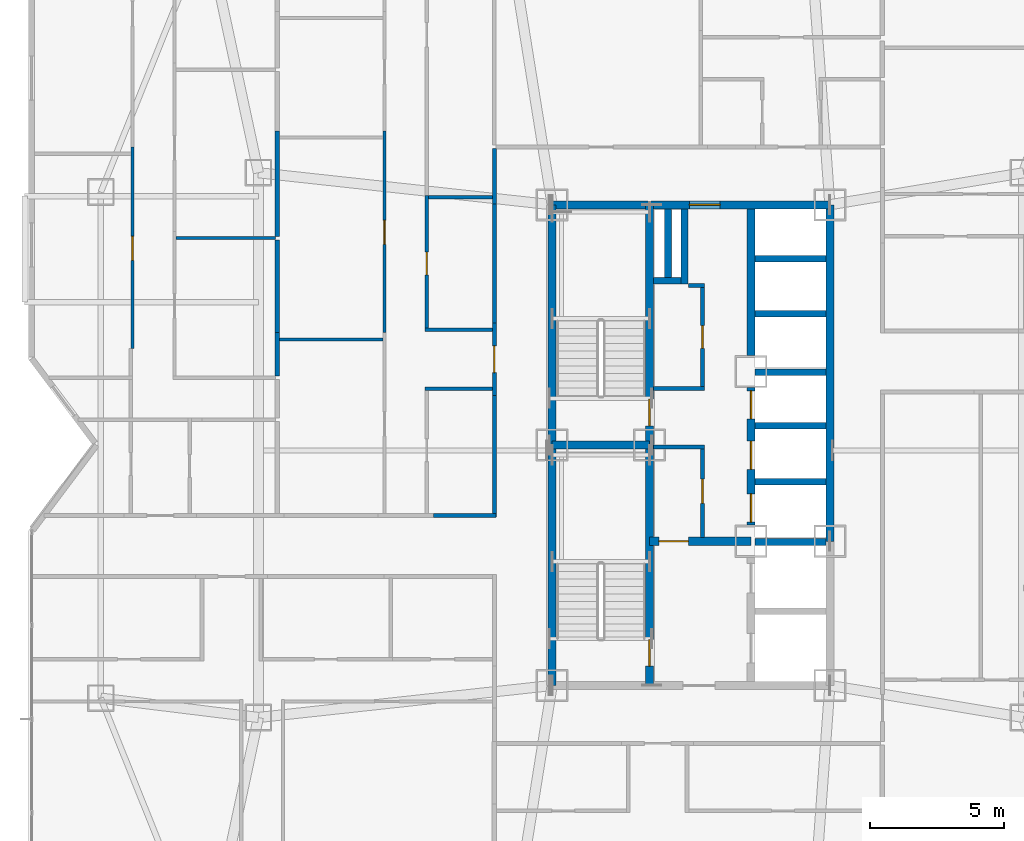
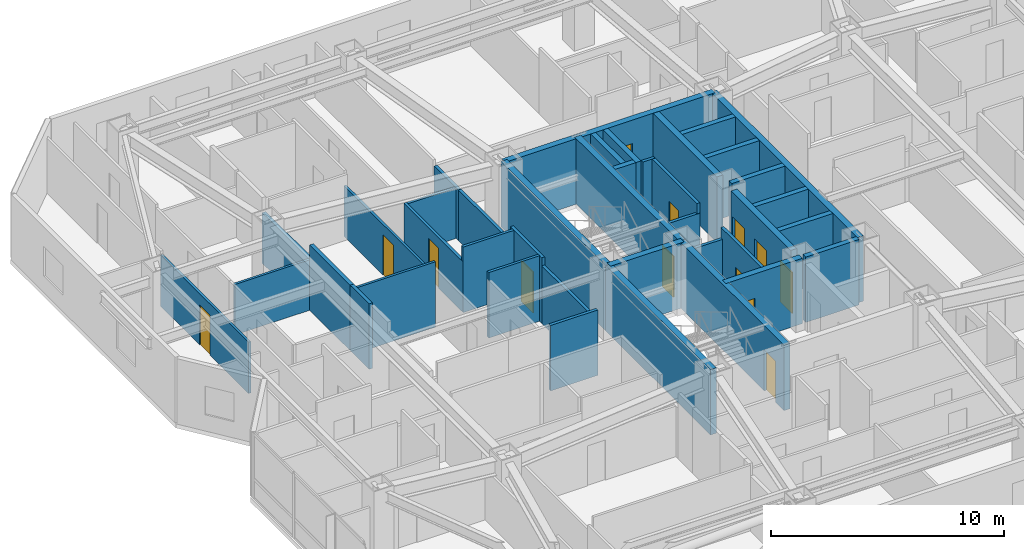
# One storey, part 13 of 19: 40 walls, 13 doors, 13 openings.
"""IFC4 building model written with IfcOpenShell, lengths in metres."""

from ifc_helpers import new_model, si_unit, direction, frame, frame_2d, origin, place, context, subcontext, project, spatial, rectangle, extrude, material, layer, layer_set, type_object, element, fill, save


model = new_model("IFC4")

# Units and contexts
model_context = context("Model", 3, precision=1e-05, world=origin(), true_north=direction((0.0, 1.0)))
body_context = subcontext(model_context, "Body", "Model", "MODEL_VIEW")
ifc_project = project(units=[si_unit("LENGTHUNIT", "METRE"), si_unit("AREAUNIT", "SQUARE_METRE"), si_unit("VOLUMEUNIT", "CUBIC_METRE"), si_unit("PLANEANGLEUNIT", "RADIAN"), si_unit("MASSUNIT", "GRAM", prefix="KILO")], contexts=[model_context])

# Site, building, storey
site_placement = place(None, origin())
site = spatial("IfcSite", under=ifc_project, at=site_placement, CompositionType="ELEMENT")
building_placement = place(site_placement, origin())
building = spatial("IfcBuilding", under=site, at=building_placement, Name="Khamvora Tower", CompositionType="ELEMENT")
storey_placement = place(building_placement, frame((0.0, 0.0, 120.14990234375)))
storey = spatial("IfcBuildingStorey", under=building, at=storey_placement, Name="L30", CompositionType="ELEMENT", Elevation=120.14990234375)

# Walls
ifc_material_1 = material(Name="Concrete C50/60", Category="concrete")
ifc_layer_1 = layer(ifc_material_1, 0.300048828125)
ifc_layer_set_1 = layer_set([ifc_layer_1], Name="Concrete C50/60")
wall_type_1 = type_object("IfcWallType", Name="WAL-CORE-300", PredefinedType="SHEAR", material=ifc_layer_set_1)
for number, where, z_axis, x_axis, name in (
    (1, (29.0, 19.0, 0.0), (0.0, 0.0, 1.0), (0.0, 1.0, 0.0), "L30 central core west south wall"),
    (2, (29.0, 28.0, 0.0), (0.0, 0.0, 1.0), (0.0, 1.0, 0.0), "L30 central core west north wall"),
):
    element("IfcWall", number, at=place(storey_placement, frame(where, z_axis=z_axis, x_axis=x_axis)), inside=storey, type_object=wall_type_1, Name=name, PredefinedType="SHEAR", context=body_context, shape_type="SweptSolid", body=[
        extrude(rectangle(XDim=9.0, YDim=0.300048828125, at=frame_2d((4.5, 0.0))), origin(), (0.0, 0.0, 1.0), 3.43017578125),
    ])

# Wall, opening, door
wall_1_placement = place(storey_placement, frame((29.0, 37.0, 0.0), z_axis=(0.0, 0.0, 1.0), x_axis=(1.0, 0.0, 0.0)))
wall_1 = element("IfcWall", 3, at=wall_1_placement, inside=storey, type_object=wall_type_1, Name="L30 central core north wall", PredefinedType="SHEAR", context=body_context, shape_type="SweptSolid", body=[
    extrude(rectangle(XDim=10.39990234375, YDim=0.300048828125, at=frame_2d((5.199951171875, 0.0))), origin(), (0.0, 0.0, 1.0), 3.43017578125),
])
opening_1_placement = place(wall_1_placement, frame((5.139892578125, 0.0, 0.0)))
opening_1 = element("IfcOpeningElement", 4, at=opening_1_placement, cuts=wall_1, Name="Opening D-SC1", PredefinedType="OPENING", context=body_context, shape_type="SweptSolid", body=[
    extrude(rectangle(XDim=1.14990234375, YDim=2.199951171875, at=frame_2d((0.574951171875, 1.10009765625))), frame((0.0, 0.159912109375, 0.0), z_axis=(0.0, -1.0, 0.0), x_axis=(1.0, 0.0, 0.0)), (0.0, 0.0, 1.0), 0.320068359375),
])
ifc_material_2 = material(Name="Powder-Coated Steel and Hardwood Leaf", Category="steel")
door_type_1 = type_object("IfcDoorType", Name="DOR-SCHL-1150", OperationType="NOTDEFINED", PredefinedType="DOOR", material=ifc_material_2)
door_1_placement = place(opening_1_placement, origin())
door_1 = element("IfcDoor", 5, at=door_1_placement, inside=storey, type_object=door_type_1, Name="L30 north core lobby to corridor fire door", OperationType="SINGLE_SWING_RIGHT", OverallHeight=2.199951171875, OverallWidth=1.14990234375, PredefinedType="DOOR", context=body_context, shape_type="SweptSolid", body=[
    extrude(rectangle(XDim=1.14990234375, YDim=2.199951171875, at=frame_2d((0.574951171875, 1.10009765625))), frame((0.0, 0.02490234375, 0.0), z_axis=(0.0, -1.0, 0.0), x_axis=(1.0, 0.0, 0.0)), (0.0, 0.0, 1.0), 0.050048828125),
])
fill(opening_1, door_1)

# Wall
wall_2_placement = place(storey_placement, frame((39.39990234375, 24.39990234375, 0.0), z_axis=(0.0, 0.0, 1.0), x_axis=(0.0, 1.0, 0.0)))
element("IfcWall", 6, at=wall_2_placement, inside=storey, type_object=wall_type_1, Name="L30 central core east north wall", PredefinedType="SHEAR", context=body_context, shape_type="SweptSolid", body=[
    extrude(rectangle(XDim=12.60009765625, YDim=0.300048828125, at=frame_2d((6.300048828125, 0.0))), origin(), (0.0, 0.0, 1.0), 3.43017578125),
])

# Wall, opening, door
wall_3_placement = place(storey_placement, frame((32.64990234375, 19.0, 0.0), z_axis=(0.0, 0.0, 1.0), x_axis=(0.0, 1.0, 0.0)))
wall_3 = element("IfcWall", 7, at=wall_3_placement, inside=storey, type_object=wall_type_1, Name="L30 central core stair south spine wall", PredefinedType="SHEAR", context=body_context, shape_type="SweptSolid", body=[
    extrude(rectangle(XDim=9.0, YDim=0.300048828125, at=frame_2d((4.5, 0.0))), origin(), (0.0, 0.0, 1.0), 3.43017578125),
])
opening_2_placement = place(wall_3_placement, frame((0.719970703125, 0.0, 0.0)))
opening_2 = element("IfcOpeningElement", 8, at=opening_2_placement, cuts=wall_3, Name="Opening D-ST1", PredefinedType="OPENING", context=body_context, shape_type="SweptSolid", body=[
    extrude(rectangle(XDim=1.0, YDim=2.14990234375, at=frame_2d((0.5, 1.074951171875))), frame((0.0, 0.159912109375, 0.0), z_axis=(0.0, -1.0, 0.0), x_axis=(1.0, 0.0, 0.0)), (0.0, 0.0, 1.0), 0.320068359375),
])
door_type_2 = type_object("IfcDoorType", Name="DOR-STAIR-1000", OperationType="NOTDEFINED", PredefinedType="DOOR", material=ifc_material_2)
door_2_placement = place(opening_2_placement, origin())
door_2 = element("IfcDoor", 9, at=door_2_placement, inside=storey, type_object=door_type_2, Name="L30 exit stair ST-01 fire door", OperationType="SINGLE_SWING_RIGHT", OverallHeight=2.14990234375, OverallWidth=1.0, PredefinedType="DOOR", context=body_context, shape_type="SweptSolid", body=[
    extrude(rectangle(XDim=1.0, YDim=2.14990234375, at=frame_2d((0.5, 1.074951171875))), frame((0.0, 0.02490234375, 0.0), z_axis=(0.0, -1.0, 0.0), x_axis=(1.0, 0.0, 0.0)), (0.0, 0.0, 1.0), 0.050048828125),
])
fill(opening_2, door_2)

wall_4_placement = place(storey_placement, frame((32.64990234375, 28.0, 0.0), z_axis=(0.0, 0.0, 1.0), x_axis=(0.0, 1.0, 0.0)))
wall_4 = element("IfcWall", 10, at=wall_4_placement, inside=storey, type_object=wall_type_1, Name="L30 central core stair north spine wall", PredefinedType="SHEAR", context=body_context, shape_type="SweptSolid", body=[
    extrude(rectangle(XDim=9.0, YDim=0.300048828125, at=frame_2d((4.5, 0.0))), origin(), (0.0, 0.0, 1.0), 3.43017578125),
])
opening_3_placement = place(wall_4_placement, frame((0.719970703125, 0.0, 0.0)))
opening_3 = element("IfcOpeningElement", 11, at=opening_3_placement, cuts=wall_4, Name="Opening D-ST1", PredefinedType="OPENING", context=body_context, shape_type="SweptSolid", body=[
    extrude(rectangle(XDim=1.0, YDim=2.14990234375, at=frame_2d((0.5, 1.074951171875))), frame((0.0, 0.159912109375, 0.0), z_axis=(0.0, -1.0, 0.0), x_axis=(1.0, 0.0, 0.0)), (0.0, 0.0, 1.0), 0.320068359375),
])
door_3_placement = place(opening_3_placement, origin())
door_3 = element("IfcDoor", 12, at=door_3_placement, inside=storey, type_object=door_type_2, Name="L30 exit stair ST-02 fire door", OperationType="SINGLE_SWING_RIGHT", OverallHeight=2.14990234375, OverallWidth=1.0, PredefinedType="DOOR", context=body_context, shape_type="SweptSolid", body=[
    extrude(rectangle(XDim=1.0, YDim=2.14990234375, at=frame_2d((0.5, 1.074951171875))), frame((0.0, 0.02490234375, 0.0), z_axis=(0.0, -1.0, 0.0), x_axis=(1.0, 0.0, 0.0)), (0.0, 0.0, 1.0), 0.050048828125),
])
fill(opening_3, door_3)

# Wall
wall_5_placement = place(storey_placement, frame((29.0, 28.0, 0.0), z_axis=(0.0, 0.0, 1.0), x_axis=(1.0, 0.0, 0.0)))
element("IfcWall", 13, at=wall_5_placement, inside=storey, type_object=wall_type_1, Name="L30 central core stair cross wall", PredefinedType="SHEAR", context=body_context, shape_type="SweptSolid", body=[
    extrude(rectangle(XDim=3.64990234375, YDim=0.300048828125, at=frame_2d((1.824951171875, 0.0))), origin(), (0.0, 0.0, 1.0), 3.43017578125),
])

# Wall, opening, door
wall_6_placement = place(storey_placement, frame((32.64990234375, 24.39990234375, 0.0), z_axis=(0.0, 0.0, 1.0), x_axis=(1.0, 0.0, 0.0)))
wall_6 = element("IfcWall", 14, at=wall_6_placement, inside=storey, type_object=wall_type_1, Name="L30 central core firefighting lobby north wall", PredefinedType="SHEAR", context=body_context, shape_type="SweptSolid", body=[
    extrude(rectangle(XDim=3.800048828125, YDim=0.300048828125, at=frame_2d((1.89990234375, 0.0))), origin(), (0.0, 0.0, 1.0), 3.43017578125),
])
opening_4_placement = place(wall_6_placement, frame((0.35009765625, 0.0, 0.0)))
opening_4 = element("IfcOpeningElement", 15, at=opening_4_placement, cuts=wall_6, Name="Opening D-FF1", PredefinedType="OPENING", context=body_context, shape_type="SweptSolid", body=[
    extrude(rectangle(XDim=1.10009765625, YDim=2.14990234375, at=frame_2d((0.550048828125, 1.074951171875))), frame((0.0, 0.159912109375, 0.0), z_axis=(0.0, -1.0, 0.0), x_axis=(1.0, 0.0, 0.0)), (0.0, 0.0, 1.0), 0.320068359375),
])
door_type_3 = type_object("IfcDoorType", Name="DOR-FFLOB-1100", OperationType="NOTDEFINED", PredefinedType="DOOR", material=ifc_material_2)
door_4_placement = place(opening_4_placement, origin())
door_4 = element("IfcDoor", 16, at=door_4_placement, inside=storey, type_object=door_type_3, Name="L30 firefighting lobby smoke-seal fire door", OperationType="SINGLE_SWING_RIGHT", OverallHeight=2.14990234375, OverallWidth=1.10009765625, PredefinedType="DOOR", context=body_context, shape_type="SweptSolid", body=[
    extrude(rectangle(XDim=1.10009765625, YDim=2.14990234375, at=frame_2d((0.550048828125, 1.074951171875))), frame((0.0, 0.02490234375, 0.0), z_axis=(0.0, -1.0, 0.0), x_axis=(1.0, 0.0, 0.0)), (0.0, 0.0, 1.0), 0.050048828125),
])
fill(opening_4, door_4)

# Wall, openings, doors
wall_7_placement = place(storey_placement, frame((36.449951171875, 25.0, 0.0), z_axis=(0.0, 0.0, 1.0), x_axis=(0.0, 1.0, 0.0)))
wall_7 = element("IfcWall", 17, at=wall_7_placement, inside=storey, type_object=wall_type_1, Name="L30 central core lift bank central wall", PredefinedType="SHEAR", context=body_context, shape_type="SweptSolid", body=[
    extrude(rectangle(XDim=5.14990234375, YDim=0.300048828125, at=frame_2d((2.574951171875, 0.0))), origin(), (0.0, 0.0, 1.0), 3.43017578125),
])
opening_5_placement = place(wall_7_placement, frame((0.1201171875, 0.0, 0.0)))
opening_5 = element("IfcOpeningElement", 18, at=opening_5_placement, cuts=wall_7, Name="Opening LD-PL", PredefinedType="OPENING", context=body_context, shape_type="SweptSolid", body=[
    extrude(rectangle(XDim=1.050048828125, YDim=2.14990234375, at=frame_2d((0.52490234375, 1.074951171875))), frame((0.0, 0.159912109375, 0.0), z_axis=(0.0, -1.0, 0.0), x_axis=(1.0, 0.0, 0.0)), (0.0, 0.0, 1.0), 0.320068359375),
])
opening_6_placement = place(wall_7_placement, frame((2.094970703125, 0.0, 0.0)))
opening_6 = element("IfcOpeningElement", 19, at=opening_6_placement, cuts=wall_7, Name="Opening LD-PL", PredefinedType="OPENING", context=body_context, shape_type="SweptSolid", body=[
    extrude(rectangle(XDim=1.050048828125, YDim=2.14990234375, at=frame_2d((0.52490234375, 1.074951171875))), frame((0.0, 0.159912109375, 0.0), z_axis=(0.0, -1.0, 0.0), x_axis=(1.0, 0.0, 0.0)), (0.0, 0.0, 1.0), 0.320068359375),
])
opening_7_placement = place(wall_7_placement, frame((3.97998046875, 0.0, 0.0)))
opening_7 = element("IfcOpeningElement", 20, at=opening_7_placement, cuts=wall_7, Name="Opening LD-PL", PredefinedType="OPENING", context=body_context, shape_type="SweptSolid", body=[
    extrude(rectangle(XDim=1.050048828125, YDim=2.14990234375, at=frame_2d((0.52490234375, 1.074951171875))), frame((0.0, 0.159912109375, 0.0), z_axis=(0.0, -1.0, 0.0), x_axis=(1.0, 0.0, 0.0)), (0.0, 0.0, 1.0), 0.320068359375),
])
door_type_4 = type_object("IfcDoorType", Name="DOR-LIFT-1050", OperationType="SLIDING_TO_LEFT", PredefinedType="DOOR", material=ifc_material_2)
door_5_placement = place(opening_5_placement, origin())
door_5 = element("IfcDoor", 21, at=door_5_placement, inside=storey, type_object=door_type_4, Name="L30 lift landing sliding door PL-01", OperationType="SLIDING_TO_LEFT", OverallHeight=2.14990234375, OverallWidth=1.050048828125, PredefinedType="DOOR", context=body_context, shape_type="SweptSolid", body=[
    extrude(rectangle(XDim=1.050048828125, YDim=2.14990234375, at=frame_2d((0.52490234375, 1.074951171875))), frame((0.0, 0.02490234375, 0.0), z_axis=(0.0, -1.0, 0.0), x_axis=(1.0, 0.0, 0.0)), (0.0, 0.0, 1.0), 0.050048828125),
])
fill(opening_5, door_5)
door_6_placement = place(opening_6_placement, origin())
door_6 = element("IfcDoor", 22, at=door_6_placement, inside=storey, type_object=door_type_4, Name="L30 lift landing sliding door PL-02", OperationType="SLIDING_TO_LEFT", OverallHeight=2.14990234375, OverallWidth=1.050048828125, PredefinedType="DOOR", context=body_context, shape_type="SweptSolid", body=[
    extrude(rectangle(XDim=1.050048828125, YDim=2.14990234375, at=frame_2d((0.52490234375, 1.074951171875))), frame((0.0, 0.02490234375, 0.0), z_axis=(0.0, -1.0, 0.0), x_axis=(1.0, 0.0, 0.0)), (0.0, 0.0, 1.0), 0.050048828125),
])
fill(opening_6, door_6)
door_7_placement = place(opening_7_placement, origin())
door_7 = element("IfcDoor", 23, at=door_7_placement, inside=storey, type_object=door_type_4, Name="L30 lift landing sliding door PL-03", OperationType="SLIDING_TO_LEFT", OverallHeight=2.14990234375, OverallWidth=1.050048828125, PredefinedType="DOOR", context=body_context, shape_type="SweptSolid", body=[
    extrude(rectangle(XDim=1.050048828125, YDim=2.14990234375, at=frame_2d((0.52490234375, 1.074951171875))), frame((0.0, 0.02490234375, 0.0), z_axis=(0.0, -1.0, 0.0), x_axis=(1.0, 0.0, 0.0)), (0.0, 0.0, 1.0), 0.050048828125),
])
fill(opening_7, door_7)

# Walls
wall_8_placement = place(storey_placement, frame((36.449951171875, 31.35009765625, 0.0), z_axis=(0.0, 0.0, 1.0), x_axis=(0.0, 1.0, 0.0)))
element("IfcWall", 24, at=wall_8_placement, inside=storey, type_object=wall_type_1, Name="L30 central core lift bank north wall", PredefinedType="SHEAR", context=body_context, shape_type="SweptSolid", body=[
    extrude(rectangle(XDim=5.495849609375, YDim=0.300048828125, at=frame_2d((2.748046875, 0.0))), origin(), (0.0, 0.0, 1.0), 3.43017578125),
])
ifc_material_3 = material(Name="Fire-Rated Drywall and Steel Stud", Category="steel")
ifc_layer_2 = layer(ifc_material_3, 0.14990234375)
ifc_layer_set_2 = layer_set([ifc_layer_2], Name="Fire-Rated Drywall and Steel Stud")
wall_type_2 = type_object("IfcWallType", Name="WAL-CORR-150", PredefinedType="STANDARD", material=ifc_layer_set_2)
wall_9_placement = place(storey_placement, frame((32.7939453125, 30.114990234375, 0.0), z_axis=(0.0, 0.0, 1.0), x_axis=(1.0, 0.0, 0.0)))
element("IfcWall", 25, at=wall_9_placement, inside=storey, type_object=wall_type_2, Name="L30 interior partition wall 001", PredefinedType="STANDARD", context=body_context, shape_type="SweptSolid", body=[
    extrude(rectangle(XDim=1.906005859375, YDim=0.14990234375, at=frame_2d((0.953125, 0.0))), origin(), (0.0, 0.0, 1.0), 2.88720703125),
])

# Wall, opening, door
wall_10_placement = place(storey_placement, frame((34.635009765625, 30.052001953125, 0.0), z_axis=(0.0, 0.0, 1.0), x_axis=(0.0, 1.0, 0.0)))
wall_10 = element("IfcWall", 26, at=wall_10_placement, inside=storey, type_object=wall_type_2, Name="L30 interior partition wall 002", PredefinedType="STANDARD", context=body_context, shape_type="SweptSolid", body=[
    extrude(rectangle(XDim=3.988037109375, YDim=0.14990234375, at=frame_2d((1.994140625, 0.0))), origin(), (0.0, 0.0, 1.0), 3.43017578125),
])
opening_8_placement = place(wall_10_placement, frame((1.569091796875, 0.0, 0.0)))
opening_8 = element("IfcOpeningElement", 27, at=opening_8_placement, cuts=wall_10, Name="Opening D-WC1", PredefinedType="OPENING", context=body_context, shape_type="SweptSolid", body=[
    extrude(rectangle(XDim=0.85009765625, YDim=2.10009765625, at=frame_2d((0.425048828125, 1.050048828125))), frame((0.0, 0.0849609375, 0.0), z_axis=(0.0, -1.0, 0.0), x_axis=(1.0, 0.0, 0.0)), (0.0, 0.0, 1.0), 0.169921875),
])
door_type_5 = type_object("IfcDoorType", Name="DOR-WET-850", OperationType="NOTDEFINED", PredefinedType="DOOR", material=ifc_material_2)
door_8_placement = place(opening_8_placement, origin())
door_8 = element("IfcDoor", 28, at=door_8_placement, inside=storey, type_object=door_type_5, Name="L30 interior door PLL-CS1", OperationType="SINGLE_SWING_LEFT", OverallHeight=2.10009765625, OverallWidth=0.85009765625, PredefinedType="DOOR", context=body_context, shape_type="SweptSolid", body=[
    extrude(rectangle(XDim=0.85009765625, YDim=2.10009765625, at=frame_2d((0.425048828125, 1.050048828125))), frame((0.0, 0.02490234375, 0.0), z_axis=(0.0, -1.0, 0.0), x_axis=(1.0, 0.0, 0.0)), (0.0, 0.0, 1.0), 0.050048828125),
])
fill(opening_8, door_8)

# Wall
wall_11_placement = place(storey_placement, frame((34.699951171875, 33.97509765625, 0.0), z_axis=(0.0, 0.0, 1.0), x_axis=(-1.0, 0.0, 0.0)))
element("IfcWall", 29, at=wall_11_placement, inside=storey, type_object=wall_type_2, Name="L30 interior partition wall 003", PredefinedType="STANDARD", context=body_context, shape_type="SweptSolid", body=[
    extrude(rectangle(XDim=0.599853515625, YDim=0.14990234375, at=frame_2d((0.2998046875, 0.0))), origin(), (0.0, 0.0, 1.0), 3.43017578125),
])

# Wall, opening, door
wall_12_placement = place(storey_placement, frame((34.635009765625, 24.5439453125, 0.0), z_axis=(0.0, 0.0, 1.0), x_axis=(0.0, 1.0, 0.0)))
wall_12 = element("IfcWall", 30, at=wall_12_placement, inside=storey, type_object=wall_type_2, Name="L30 interior partition wall 004", PredefinedType="STANDARD", context=body_context, shape_type="SweptSolid", body=[
    extrude(rectangle(XDim=3.4560546875, YDim=0.14990234375, at=frame_2d((1.72802734375, 0.0))), origin(), (0.0, 0.0, 1.0), 3.43017578125),
])
opening_9_placement = place(wall_12_placement, frame((1.278076171875, 0.0, 0.0)))
opening_9 = element("IfcOpeningElement", 31, at=opening_9_placement, cuts=wall_12, Name="Opening D-RM1", PredefinedType="OPENING", context=body_context, shape_type="SweptSolid", body=[
    extrude(rectangle(XDim=0.89990234375, YDim=2.10009765625, at=frame_2d((0.449951171875, 1.050048828125))), frame((0.0, 0.0849609375, 0.0), z_axis=(0.0, -1.0, 0.0), x_axis=(1.0, 0.0, 0.0)), (0.0, 0.0, 1.0), 0.169921875),
])
door_type_6 = type_object("IfcDoorType", Name="DOR-ROOM-900", OperationType="NOTDEFINED", PredefinedType="DOOR", material=ifc_material_2)
door_9_placement = place(opening_9_placement, origin())
door_9 = element("IfcDoor", 32, at=door_9_placement, inside=storey, type_object=door_type_6, Name="L30 interior door PLL-CS2", OperationType="SINGLE_SWING_RIGHT", OverallHeight=2.10009765625, OverallWidth=0.89990234375, PredefinedType="DOOR", context=body_context, shape_type="SweptSolid", body=[
    extrude(rectangle(XDim=0.89990234375, YDim=2.10009765625, at=frame_2d((0.449951171875, 1.050048828125))), frame((0.0, 0.02490234375, 0.0), z_axis=(0.0, -1.0, 0.0), x_axis=(1.0, 0.0, 0.0)), (0.0, 0.0, 1.0), 0.050048828125),
])
fill(opening_9, door_9)

# Walls
wall_13_placement = place(storey_placement, frame((34.699951171875, 27.93505859375, 0.0), z_axis=(0.0, 0.0, 1.0), x_axis=(-1.0, 0.0, 0.0)))
element("IfcWall", 33, at=wall_13_placement, inside=storey, type_object=wall_type_2, Name="L30 interior partition wall 005", PredefinedType="STANDARD", context=body_context, shape_type="SweptSolid", body=[
    extrude(rectangle(XDim=1.906005859375, YDim=0.14990234375, at=frame_2d((0.953125, 0.0))), origin(), (0.0, 0.0, 1.0), 2.88720703125),
])
wall_14_placement = place(storey_placement, frame((26.8349609375, 37.031982421875, 0.0), z_axis=(0.0, 0.0, 1.0), x_axis=(0.0, 1.0, 0.0)))
element("IfcWall", 34, at=wall_14_placement, inside=storey, type_object=wall_type_2, Name="L30 interior partition wall 017", PredefinedType="STANDARD", context=body_context, shape_type="SweptSolid", body=[
    extrude(rectangle(XDim=2.068115234375, YDim=0.14990234375, at=frame_2d((1.0341796875, 0.0))), origin(), (0.0, 0.0, 1.0), 2.647216796875),
])

# Wall, opening, door
wall_15_placement = place(storey_placement, frame((26.8349609375, 29.866943359375, 0.0), z_axis=(0.0, 0.0, 1.0), x_axis=(0.0, 1.0, 0.0)))
wall_15 = element("IfcWall", 35, at=wall_15_placement, inside=storey, type_object=wall_type_2, Name="L30 interior partition wall 019", PredefinedType="STANDARD", context=body_context, shape_type="SweptSolid", body=[
    extrude(rectangle(XDim=2.697998046875, YDim=0.14990234375, at=frame_2d((1.34912109375, 0.0))), origin(), (0.0, 0.0, 1.0), 3.43017578125),
])
opening_10_placement = place(wall_15_placement, frame((0.84912109375, 0.0, 0.0)))
opening_10 = element("IfcOpeningElement", 36, at=opening_10_placement, cuts=wall_15, Name="Opening D-U1", PredefinedType="OPENING", context=body_context, shape_type="SweptSolid", body=[
    extrude(rectangle(XDim=1.0, YDim=2.14990234375, at=frame_2d((0.5, 1.074951171875))), frame((0.0, 0.0849609375, 0.0), z_axis=(0.0, -1.0, 0.0), x_axis=(1.0, 0.0, 0.0)), (0.0, 0.0, 1.0), 0.169921875),
])
door_type_7 = type_object("IfcDoorType", Name="DOR-UNIT-1000", OperationType="NOTDEFINED", PredefinedType="DOOR", material=ifc_material_2)
door_10_placement = place(opening_10_placement, origin())
door_10 = element("IfcDoor", 37, at=door_10_placement, inside=storey, type_object=door_type_7, Name="L30 interior door COR-30WCH", OperationType="SINGLE_SWING_RIGHT", OverallHeight=2.14990234375, OverallWidth=1.0, PredefinedType="DOOR", context=body_context, shape_type="SweptSolid", body=[
    extrude(rectangle(XDim=1.0, YDim=2.14990234375, at=frame_2d((0.5, 1.074951171875))), frame((0.0, 0.02490234375, 0.0), z_axis=(0.0, -1.0, 0.0), x_axis=(1.0, 0.0, 0.0)), (0.0, 0.0, 1.0), 0.050048828125),
])
fill(opening_10, door_10)

# Walls
wall_16_placement = place(storey_placement, frame((24.553955078125, 25.364990234375, 0.0), z_axis=(0.0, 0.0, 1.0), x_axis=(1.0, 0.0, 0.0)))
element("IfcWall", 38, at=wall_16_placement, inside=storey, type_object=wall_type_2, Name="L30 interior partition wall 020", PredefinedType="STANDARD", context=body_context, shape_type="SweptSolid", body=[
    extrude(rectangle(XDim=2.345947265625, YDim=0.14990234375, at=frame_2d((1.1728515625, 0.0))), origin(), (0.0, 0.0, 1.0), 3.43017578125),
])
wall_17_placement = place(storey_placement, frame((26.8349609375, 25.302001953125, 0.0), z_axis=(0.0, 0.0, 1.0), x_axis=(0.0, 1.0, 0.0)))
element("IfcWall", 39, at=wall_17_placement, inside=storey, type_object=wall_type_2, Name="L30 interior partition wall 021", PredefinedType="STANDARD", context=body_context, shape_type="SweptSolid", body=[
    extrude(rectangle(XDim=4.56494140625, YDim=0.14990234375, at=frame_2d((2.282470703125, 0.0))), origin(), (0.0, 0.0, 1.0), 3.01318359375),
])
wall_18_placement = place(storey_placement, frame((26.8349609375, 32.56494140625, 0.0), z_axis=(0.0, 0.0, 1.0), x_axis=(0.0, 1.0, 0.0)))
element("IfcWall", 40, at=wall_18_placement, inside=storey, type_object=wall_type_2, Name="L30 interior partition wall 022", PredefinedType="STANDARD", context=body_context, shape_type="SweptSolid", body=[
    extrude(rectangle(XDim=4.467041015625, YDim=0.14990234375, at=frame_2d((2.2333984375, 0.0))), origin(), (0.0, 0.0, 1.0), 2.647216796875),
])
ifc_material_4 = material(Name="Acoustic Double-Stud Fire Wall", Category="gypsum")
ifc_layer_3 = layer(ifc_material_4, 0.179931640625)
ifc_layer_set_3 = layer_set([ifc_layer_3], Name="Acoustic Double-Stud Fire Wall")
wall_type_3 = type_object("IfcWallType", Name="WAL-CORR-180", PredefinedType="STANDARD", material=ifc_layer_set_3)
wall_19_placement = place(storey_placement, frame((18.705078125, 32.2080078125, 0.0), z_axis=(0.0, 0.0, 1.0), x_axis=(0.0, -1.0, 0.0)))
element("IfcWall", 41, at=wall_19_placement, inside=storey, type_object=wall_type_3, Name="L30 interior partition wall 079", PredefinedType="STANDARD", context=body_context, shape_type="SweptSolid", body=[
    extrude(rectangle(XDim=1.617919921875, YDim=0.179931640625, at=frame_2d((0.80908203125, 0.0))), origin(), (0.0, 0.0, 1.0), 3.43017578125),
])
wall_20_placement = place(storey_placement, frame((18.705078125, 35.68896484375, 0.0), z_axis=(0.0, 0.0, 1.0), x_axis=(0.0, -1.0, 0.0)))
element("IfcWall", 42, at=wall_20_placement, inside=storey, type_object=wall_type_3, Name="L30 interior partition wall 080", PredefinedType="STANDARD", context=body_context, shape_type="SweptSolid", body=[
    extrude(rectangle(XDim=3.48095703125, YDim=0.179931640625, at=frame_2d((1.740478515625, 0.0))), origin(), (0.0, 0.0, 1.0), 3.43017578125),
])
wall_21_placement = place(storey_placement, frame((18.705078125, 39.76611328125, 0.0), z_axis=(0.0, 0.0, 1.0), x_axis=(0.0, -1.0, 0.0)))
element("IfcWall", 43, at=wall_21_placement, inside=storey, type_object=wall_type_3, Name="L30 interior partition wall 082", PredefinedType="STANDARD", context=body_context, shape_type="SweptSolid", body=[
    extrude(rectangle(XDim=3.947021484375, YDim=0.179931640625, at=frame_2d((1.9736328125, 0.0))), origin(), (0.0, 0.0, 1.0), 2.647216796875),
])

# Wall, opening, door
ifc_material_5 = material(Name="Gypsum Plasterboard Partition", Category="gypsum")
ifc_layer_4 = layer(ifc_material_5, 0.1201171875)
ifc_layer_set_4 = layer_set([ifc_layer_4], Name="Gypsum Plasterboard Partition")
wall_type_4 = type_object("IfcWallType", Name="WAL-PART-120", PredefinedType="PARTITIONING", material=ifc_layer_set_4)
wall_22_placement = place(storey_placement, frame((13.2900390625, 31.610107421875, 0.0), z_axis=(0.0, 0.0, 1.0), x_axis=(0.0, 1.0, 0.0)))
wall_22 = element("IfcWall", 44, at=wall_22_placement, inside=storey, type_object=wall_type_4, Name="L30 interior partition wall 068", PredefinedType="PARTITIONING", context=body_context, shape_type="SweptSolid", body=[
    extrude(rectangle(XDim=7.552978515625, YDim=0.1201171875, at=frame_2d((3.7763671875, 0.0))), origin(), (0.0, 0.0, 1.0), 2.68701171875),
])
opening_11_placement = place(wall_22_placement, frame((3.304931640625, 0.0, 0.0)))
opening_11 = element("IfcOpeningElement", 45, at=opening_11_placement, cuts=wall_22, Name="Opening D-RM1", PredefinedType="OPENING", context=body_context, shape_type="SweptSolid", body=[
    extrude(rectangle(XDim=0.89990234375, YDim=2.10009765625, at=frame_2d((0.449951171875, 1.050048828125))), frame((0.0, 0.070068359375, 0.0), z_axis=(0.0, -1.0, 0.0), x_axis=(1.0, 0.0, 0.0)), (0.0, 0.0, 1.0), 0.14013671875),
])
door_11_placement = place(opening_11_placement, origin())
door_11 = element("IfcDoor", 46, at=door_11_placement, inside=storey, type_object=door_type_6, Name="L30 interior door 30WBH-30WBL", OperationType="SINGLE_SWING_LEFT", OverallHeight=2.10009765625, OverallWidth=0.89990234375, PredefinedType="DOOR", context=body_context, shape_type="SweptSolid", body=[
    extrude(rectangle(XDim=0.89990234375, YDim=2.10009765625, at=frame_2d((0.449951171875, 1.050048828125))), frame((0.0, 0.02490234375, 0.0), z_axis=(0.0, -1.0, 0.0), x_axis=(1.0, 0.0, 0.0)), (0.0, 0.0, 1.0), 0.050048828125),
])
fill(opening_11, door_11)

# Wall
wall_23_placement = place(storey_placement, frame((14.9140625, 35.75390625, 0.0), z_axis=(0.0, 0.0, 1.0), x_axis=(1.0, 0.0, 0.0)))
element("IfcWall", 47, at=wall_23_placement, inside=storey, type_object=wall_type_4, Name="L30 interior partition wall 078", PredefinedType="PARTITIONING", context=body_context, shape_type="SweptSolid", body=[
    extrude(rectangle(XDim=3.725830078125, YDim=0.1201171875, at=frame_2d((1.86279296875, 0.0))), origin(), (0.0, 0.0, 1.0), 2.647216796875),
])

# Wall, opening, door
wall_24_placement = place(storey_placement, frame((22.72509765625, 32.2080078125, 0.0), z_axis=(0.0, 0.0, 1.0), x_axis=(0.0, 1.0, 0.0)))
wall_24 = element("IfcWall", 48, at=wall_24_placement, inside=storey, type_object=wall_type_4, Name="L30 interior partition wall 093", PredefinedType="PARTITIONING", context=body_context, shape_type="SweptSolid", body=[
    extrude(rectangle(XDim=7.55810546875, YDim=0.1201171875, at=frame_2d((3.779052734375, 0.0))), origin(), (0.0, 0.0, 1.0), 2.647216796875),
])
opening_12_placement = place(wall_24_placement, frame((3.30810546875, 0.0, 0.0)))
opening_12 = element("IfcOpeningElement", 49, at=opening_12_placement, cuts=wall_24, Name="Opening D-RM1", PredefinedType="OPENING", context=body_context, shape_type="SweptSolid", body=[
    extrude(rectangle(XDim=0.89990234375, YDim=2.10009765625, at=frame_2d((0.449951171875, 1.050048828125))), frame((0.0, 0.070068359375, 0.0), z_axis=(0.0, -1.0, 0.0), x_axis=(1.0, 0.0, 0.0)), (0.0, 0.0, 1.0), 0.14013671875),
])
door_12_placement = place(opening_12_placement, origin())
door_12 = element("IfcDoor", 50, at=door_12_placement, inside=storey, type_object=door_type_6, Name="L30 interior door 30WCH-30WCR2", OperationType="SINGLE_SWING_RIGHT", OverallHeight=2.10009765625, OverallWidth=0.89990234375, PredefinedType="DOOR", context=body_context, shape_type="SweptSolid", body=[
    extrude(rectangle(XDim=0.89990234375, YDim=2.10009765625, at=frame_2d((0.449951171875, 1.050048828125))), frame((0.0, 0.02490234375, 0.0), z_axis=(0.0, -1.0, 0.0), x_axis=(1.0, 0.0, 0.0)), (0.0, 0.0, 1.0), 0.050048828125),
])
fill(opening_12, door_12)

# Walls
wall_25_placement = place(storey_placement, frame((18.787109375, 31.958984375, 0.0), z_axis=(0.0, 0.0, 1.0), x_axis=(1.0, 0.0, 0.0)))
element("IfcWall", 51, at=wall_25_placement, inside=storey, type_object=wall_type_4, Name="L30 interior partition wall 096", PredefinedType="PARTITIONING", context=body_context, shape_type="SweptSolid", body=[
    extrude(rectangle(XDim=3.8837890625, YDim=0.1201171875, at=frame_2d((1.94189453125, 0.0))), origin(), (0.0, 0.0, 1.0), 3.43017578125),
])
ifc_material_6 = material(Name="Concrete C40/50", Category="concrete")
ifc_layer_5 = layer(ifc_material_6, 0.25)
ifc_layer_set_5 = layer_set([ifc_layer_5], Name="Concrete C40/50")
wall_type_5 = type_object("IfcWallType", Name="WAL-PODS-250", PredefinedType="SHEAR", material=ifc_layer_set_5)
for number, where, z_axis, x_axis, name in (
    (52, (36.60400390625, 24.375, 0.0), (0.0, 0.0, 1.0), (1.0, 0.0, 0.0), "L30 lift shaft divider wall FFL-02"),
    (53, (36.60400390625, 26.625, 0.0), (0.0, 0.0, 1.0), (1.0, 0.0, 0.0), "L30 lift shaft divider wall PL-01"),
    (54, (36.60400390625, 28.72509765625, 0.0), (0.0, 0.0, 1.0), (1.0, 0.0, 0.0), "L30 lift shaft divider wall PL-02"),
    (55, (36.60400390625, 30.72509765625, 0.0), (0.0, 0.0, 1.0), (1.0, 0.0, 0.0), "L30 lift shaft divider wall PL-03"),
    (56, (36.60400390625, 32.925048828125, 0.0), (0.0, 0.0, 1.0), (1.0, 0.0, 0.0), "L30 lift shaft divider wall PH-01"),
    (57, (36.60400390625, 34.97509765625, 0.0), (0.0, 0.0, 1.0), (1.0, 0.0, 0.0), "L30 lift shaft divider wall PH-02"),
):
    element("IfcWall", number, at=place(storey_placement, frame(where, z_axis=z_axis, x_axis=x_axis)), inside=storey, type_object=wall_type_5, Name=name, PredefinedType="SHEAR", context=body_context, shape_type="SweptSolid", body=[
        extrude(rectangle(XDim=2.64208984375, YDim=0.25, at=frame_2d((1.321044921875, 0.0))), origin(), (0.0, 0.0, 1.0), 3.43017578125),
    ])
wall_26_placement = place(storey_placement, frame((33.955078125, 34.02490234375, 0.0), z_axis=(0.0, 0.0, 1.0), x_axis=(0.0, 1.0, 0.0)))
element("IfcWall", 58, at=wall_26_placement, inside=storey, type_object=wall_type_5, Name="L30 vertical MEP riser shaft east enclosure wall", PredefinedType="SHEAR", context=body_context, shape_type="SweptSolid", body=[
    extrude(rectangle(XDim=2.821044921875, YDim=0.25, at=frame_2d((1.41064453125, 0.0))), origin(), (0.0, 0.0, 1.0), 3.43017578125),
])
wall_27_placement = place(storey_placement, frame((32.803955078125, 34.14990234375, 0.0), z_axis=(0.0, 0.0, 1.0), x_axis=(1.0, 0.0, 0.0)))
element("IfcWall", 59, at=wall_27_placement, inside=storey, type_object=wall_type_5, Name="L30 vertical MEP riser shaft south enclosure wall", PredefinedType="SHEAR", context=body_context, shape_type="SweptSolid", body=[
    extrude(rectangle(XDim=1.02197265625, YDim=0.25, at=frame_2d((0.510986328125, 0.0))), origin(), (0.0, 0.0, 1.0), 3.43017578125),
])
wall_28_placement = place(storey_placement, frame((33.340087890625, 34.279052734375, 0.0), z_axis=(0.0, 0.0, 1.0), x_axis=(0.0, 1.0, 0.0)))
element("IfcWall", 60, at=wall_28_placement, inside=storey, type_object=wall_type_5, Name="L30 vertical MEP riser shaft divider enclosure wall", PredefinedType="SHEAR", context=body_context, shape_type="SweptSolid", body=[
    extrude(rectangle(XDim=2.56689453125, YDim=0.25, at=frame_2d((1.283447265625, 0.0))), origin(), (0.0, 0.0, 1.0), 3.43017578125),
])
ifc_material_7 = material(Name="Moisture-Resistant Plasterboard Partition", Category="gypsum")
ifc_layer_6 = layer(ifc_material_7, 0.135009765625)
ifc_layer_set_6 = layer_set([ifc_layer_6], Name="Moisture-Resistant Plasterboard Partition")
wall_type_6 = type_object("IfcWallType", Name="WAL-WET-135", PredefinedType="PARTITIONING", material=ifc_layer_set_6)
wall_29_placement = place(storey_placement, frame((26.77001953125, 37.281005859375, 0.0), z_axis=(0.0, 0.0, 1.0), x_axis=(-1.0, 0.0, 0.0)))
element("IfcWall", 61, at=wall_29_placement, inside=storey, type_object=wall_type_6, Name="L30 interior partition wall 087", PredefinedType="PARTITIONING", context=body_context, shape_type="SweptSolid", body=[
    extrude(rectangle(XDim=2.39990234375, YDim=0.135009765625, at=frame_2d((1.199951171875, 0.0))), origin(), (0.0, 0.0, 1.0), 2.647216796875),
])
wall_30_placement = place(storey_placement, frame((26.77001953125, 30.115966796875, 0.0), z_axis=(0.0, 0.0, 1.0), x_axis=(-1.0, 0.0, 0.0)))
element("IfcWall", 62, at=wall_30_placement, inside=storey, type_object=wall_type_6, Name="L30 interior partition wall 088", PredefinedType="PARTITIONING", context=body_context, shape_type="SweptSolid", body=[
    extrude(rectangle(XDim=2.530029296875, YDim=0.135009765625, at=frame_2d((1.26513671875, 0.0))), origin(), (0.0, 0.0, 1.0), 3.43017578125),
])

# Wall, opening, door
wall_31_placement = place(storey_placement, frame((24.304931640625, 37.345947265625, 0.0), z_axis=(0.0, 0.0, 1.0), x_axis=(0.0, -1.0, 0.0)))
wall_31 = element("IfcWall", 63, at=wall_31_placement, inside=storey, type_object=wall_type_6, Name="L30 interior partition wall 090", PredefinedType="PARTITIONING", context=body_context, shape_type="SweptSolid", body=[
    extrude(rectangle(XDim=5.094970703125, YDim=0.135009765625, at=frame_2d((2.54736328125, 0.0))), origin(), (0.0, 0.0, 1.0), 2.647216796875),
])
opening_13_placement = place(wall_31_placement, frame((2.123046875, 0.0, 0.0)))
opening_13 = element("IfcOpeningElement", 64, at=opening_13_placement, cuts=wall_31, Name="Opening D-RM2", PredefinedType="OPENING", context=body_context, shape_type="SweptSolid", body=[
    extrude(rectangle(XDim=0.85009765625, YDim=2.10009765625, at=frame_2d((0.425048828125, 1.050048828125))), frame((0.0, 0.077392578125, 0.0), z_axis=(0.0, -1.0, 0.0), x_axis=(1.0, 0.0, 0.0)), (0.0, 0.0, 1.0), 0.155029296875),
])
door_type_8 = type_object("IfcDoorType", Name="DOR-ROOM-850", OperationType="NOTDEFINED", PredefinedType="DOOR", material=ifc_material_2)
door_13_placement = place(opening_13_placement, origin())
door_13 = element("IfcDoor", 65, at=door_13_placement, inside=storey, type_object=door_type_8, Name="L30 interior door 30WCH-30WCK", OperationType="SINGLE_SWING_RIGHT", OverallHeight=2.10009765625, OverallWidth=0.85009765625, PredefinedType="DOOR", context=body_context, shape_type="SweptSolid", body=[
    extrude(rectangle(XDim=0.85009765625, YDim=2.10009765625, at=frame_2d((0.425048828125, 1.050048828125))), frame((0.0, 0.02490234375, 0.0), z_axis=(0.0, -1.0, 0.0), x_axis=(1.0, 0.0, 0.0)), (0.0, 0.0, 1.0), 0.050048828125),
])
fill(opening_13, door_13)

# Wall
wall_32_placement = place(storey_placement, frame((24.239990234375, 32.31591796875, 0.0), z_axis=(0.0, 0.0, 1.0), x_axis=(1.0, 0.0, 0.0)))
element("IfcWall", 66, at=wall_32_placement, inside=storey, type_object=wall_type_6, Name="L30 interior partition wall 091", PredefinedType="PARTITIONING", context=body_context, shape_type="SweptSolid", body=[
    extrude(rectangle(XDim=2.530029296875, YDim=0.135009765625, at=frame_2d((1.26513671875, 0.0))), origin(), (0.0, 0.0, 1.0), 3.43017578125),
])

save(model, "model.ifc")
